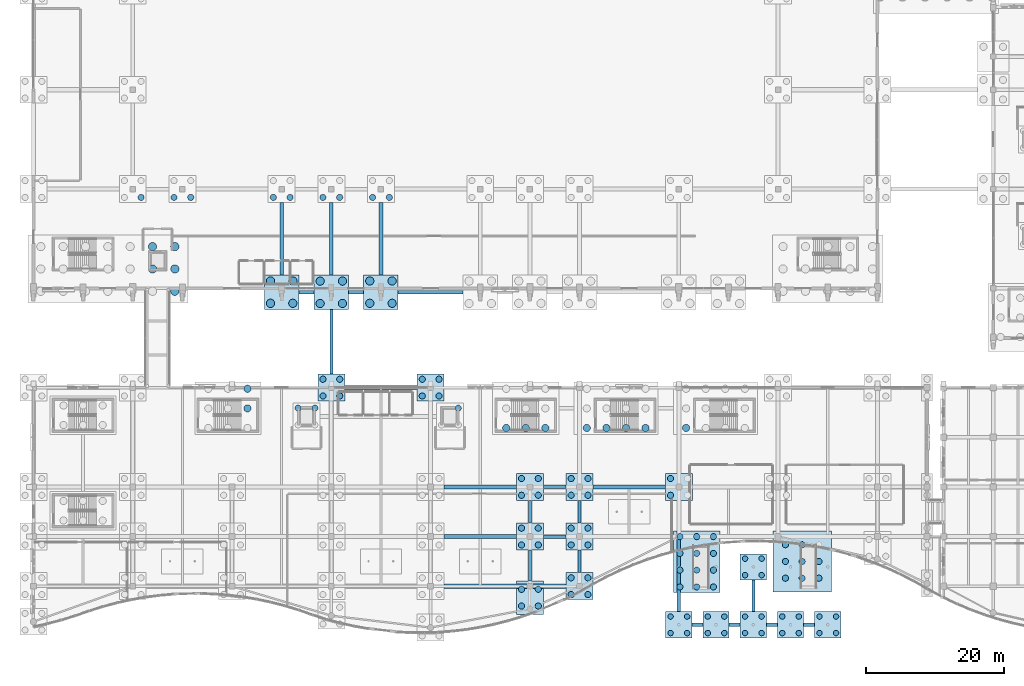
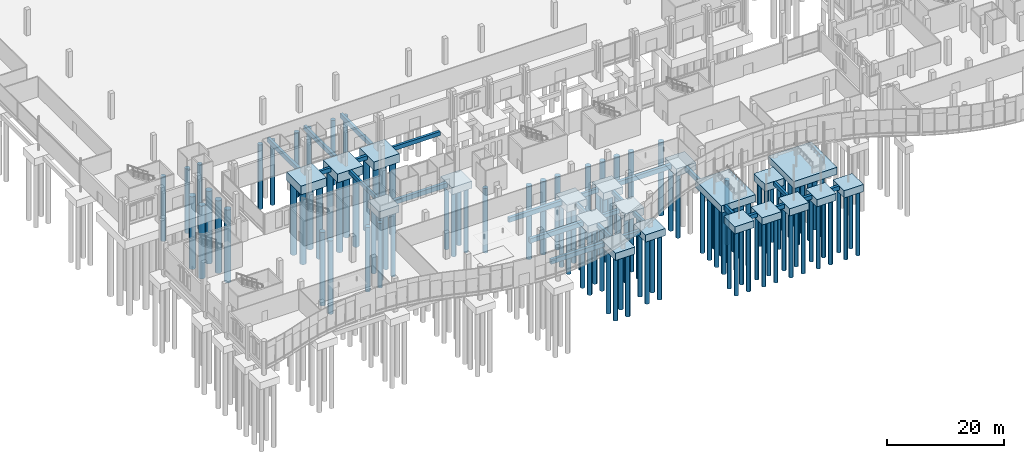
# One storey, part 2 of 192: 117 piles, 44 footings.
"""IFC4 building model written with IfcOpenShell, lengths in metres."""

from ifc_helpers import new_model, si_unit, direction, frame, origin, origin_2d, place, context, subcontext, project, spatial, rectangle, circle, extrude, material, material_profile, profile_set, type_object, element, save


model = new_model("IFC4")

# Units and contexts
model_context = context("Model", 3, precision=1e-05, world=origin(), true_north=direction((0.0, 1.0)))
body_context = subcontext(model_context, "Body", "Model", "MODEL_VIEW")
ifc_project = project(units=[si_unit("LENGTHUNIT", "METRE"), si_unit("AREAUNIT", "SQUARE_METRE"), si_unit("VOLUMEUNIT", "CUBIC_METRE"), si_unit("PLANEANGLEUNIT", "RADIAN"), si_unit("MASSUNIT", "GRAM", prefix="KILO")], contexts=[model_context])

# Site, building, storey
site_placement = place(None, origin())
site = spatial("IfcSite", under=ifc_project, at=site_placement, CompositionType="ELEMENT")
building_placement = place(site_placement, origin())
building = spatial("IfcBuilding", under=site, at=building_placement, Name="Cendralis Lancet Convention Centre", CompositionType="ELEMENT")
storey_placement = place(building_placement, origin())
storey = spatial("IfcBuildingStorey", under=building, at=storey_placement, Name="L00", CompositionType="ELEMENT", Elevation=0.0)

# Footings
ifc_material = material(Name="Concrete G35 (C35/45)", Category="concrete")
footing_type_1 = type_object("IfcFootingType", Name="STR-FT-PC04", PredefinedType="PILE_CAP", material=ifc_material)
for number, where, z_axis, x_axis, name in (
    (1, (43.199951171875, 36.0, -3.14990234375), (0.0, 0.0, 1.0), (1.0, 0.0, 0.0), "Pile Cap PC-04 #079"),
    (2, (57.60009765625, 36.0, -3.14990234375), (0.0, 0.0, 1.0), (1.0, 0.0, 0.0), "Pile Cap PC-04 #091"),
    (3, (72.0, 14.39990234375, -3.14990234375), (0.0, 0.0, 1.0), (1.0, 0.0, 0.0), "Pile Cap PC-04 #099"),
    (4, (72.0, 21.60009765625, -3.14990234375), (0.0, 0.0, 1.0), (1.0, 0.0, 0.0), "Pile Cap PC-04 #100"),
    (5, (79.199951171875, 7.199951171875, -3.14990234375), (0.0, 0.0, 1.0), (1.0, 0.0, 0.0), "Pile Cap PC-04 #105"),
    (6, (79.199951171875, 14.39990234375, -3.14990234375), (0.0, 0.0, 1.0), (1.0, 0.0, 0.0), "Pile Cap PC-04 #106"),
    (7, (79.199951171875, 21.60009765625, -3.14990234375), (0.0, 0.0, 1.0), (1.0, 0.0, 0.0), "Pile Cap PC-04 #107"),
    (8, (93.60009765625, 21.60009765625, -3.14990234375), (0.0, 0.0, 1.0), (1.0, 0.0, 0.0), "Pile Cap PC-04 #114"),
):
    element("IfcFooting", number, at=place(storey_placement, frame(where, z_axis=z_axis, x_axis=x_axis)), inside=storey, type_object=footing_type_1, Name=name, PredefinedType="PILE_CAP", context=body_context, shape_type="SweptSolid", body=[
        extrude(rectangle(XDim=3.89990234375, YDim=3.89990234375, at=origin_2d()), origin(), (0.0, 0.0, 1.0), 1.5),
    ])
footing_type_2 = type_object("IfcFootingType", Name="STR-FT-PC16", PredefinedType="PILE_CAP", material=ifc_material)
for number, where, z_axis, x_axis, name in (
    (9, (36.0, 49.844970703125, -3.4501953125), (0.0, 0.0, 1.0), (1.0, 0.0, 0.0), "Pile Cap PC-16 #070"),
    (10, (43.199951171875, 49.820068359375, -3.4501953125), (0.0, 0.0, 1.0), (1.0, 0.0, 0.0), "Pile Cap PC-16 #080"),
    (11, (50.39990234375, 49.844970703125, -3.4501953125), (0.0, 0.0, 1.0), (1.0, 0.0, 0.0), "Pile Cap PC-16 #084"),
):
    element("IfcFooting", number, at=place(storey_placement, frame(where, z_axis=z_axis, x_axis=x_axis)), inside=storey, type_object=footing_type_2, Name=name, PredefinedType="PILE_CAP", context=body_context, shape_type="SweptSolid", body=[
        extrude(rectangle(XDim=5.0, YDim=5.0, at=origin_2d()), origin(), (0.0, 0.0, 1.0), 1.800048828125),
    ])
footing_type_3 = type_object("IfcFootingType", Name="STR-FT-PC18", PredefinedType="PILE_CAP", material=ifc_material)
footing_1_placement = place(storey_placement, frame((72.0, 5.53662109375, -3.14990234375), z_axis=(0.0, 0.0, 1.0), x_axis=(1.0, 0.0, 0.0)))
element("IfcFooting", 12, at=footing_1_placement, inside=storey, type_object=footing_type_3, Name="Pile Cap PC-18 #098", PredefinedType="PILE_CAP", context=body_context, shape_type="SweptSolid", body=[
    extrude(rectangle(XDim=3.89990234375, YDim=4.89990234375, at=origin_2d()), origin(), (0.0, 0.0, 1.0), 1.5),
])
footing_type_4 = type_object("IfcFootingType", Name="STR-FT-PC20", PredefinedType="PILE_CAP", material=ifc_material)
for number, where, z_axis, x_axis, name in (
    (13, (93.60009765625, 1.60009765625, -3.14990234375), (0.0, 0.0, 1.0), (1.0, 0.0, 0.0), "Pile Cap PC-20 #113"),
    (14, (99.0, 1.60009765625, -3.14990234375), (0.0, 0.0, 1.0), (1.0, 0.0, 0.0), "Pile Cap PC-20 #121"),
    (15, (104.39990234375, 1.60009765625, -3.14990234375), (0.0, 0.0, 1.0), (1.0, 0.0, 0.0), "Pile Cap PC-20 #123"),
    (16, (104.39990234375, 10.0, -3.14990234375), (0.0, 0.0, 1.0), (1.0, 0.0, 0.0), "Pile Cap PC-20 #124"),
    (17, (109.800048828125, 1.60009765625, -3.14990234375), (0.0, 0.0, 1.0), (1.0, 0.0, 0.0), "Pile Cap PC-20 #132"),
    (18, (115.199951171875, 1.60009765625, -3.14990234375), (0.0, 0.0, 1.0), (1.0, 0.0, 0.0), "Pile Cap PC-20 #134"),
):
    element("IfcFooting", number, at=place(storey_placement, frame(where, z_axis=z_axis, x_axis=x_axis)), inside=storey, type_object=footing_type_4, Name=name, PredefinedType="PILE_CAP", context=body_context, shape_type="SweptSolid", body=[
        extrude(rectangle(XDim=3.800048828125, YDim=3.800048828125, at=origin_2d()), origin(), (0.0, 0.0, 1.0), 1.5),
    ])
footing_type_5 = type_object("IfcFootingType", Name="STR-FT-PC21", PredefinedType="PILE_CAP", material=ifc_material)
footing_2_placement = place(storey_placement, frame((96.189208984375, 10.737548828125, -3.14990234375), z_axis=(0.0, 0.0, 1.0), x_axis=(1.0, 0.0, 0.0)))
element("IfcFooting", 19, at=footing_2_placement, inside=storey, type_object=footing_type_5, Name="Pile Cap PC-21 #119", PredefinedType="PILE_CAP", context=body_context, shape_type="SweptSolid", body=[
    extrude(rectangle(XDim=6.699951171875, YDim=8.89990234375, at=origin_2d()), origin(), (0.0, 0.0, 1.0), 1.5),
])
footing_type_6 = type_object("IfcFootingType", Name="STR-FT-PC22", PredefinedType="PILE_CAP", material=ifc_material)
footing_3_placement = place(storey_placement, frame((111.489013671875, 10.78759765625, -3.14990234375), z_axis=(0.0, 0.0, 1.0), x_axis=(1.0, 0.0, 0.0)))
element("IfcFooting", 20, at=footing_3_placement, inside=storey, type_object=footing_type_6, Name="Pile Cap PC-22 #133", PredefinedType="PILE_CAP", context=body_context, shape_type="SweptSolid", body=[
    extrude(rectangle(XDim=8.5, YDim=8.800048828125, at=origin_2d()), origin(), (0.0, 0.0, 1.0), 1.5),
])
ifc_material_profile_1 = material_profile(ifc_material, rectangle(XDim=0.60009765625, YDim=0.949951171875, at=origin_2d()), Name="RCB 600x950")
ifc_profile_set_1 = profile_set([ifc_material_profile_1], Name="Concrete G35 (C35/45)")
footing_type_7 = type_object("IfcFootingType", Name="STR-GB-GB01", PredefinedType="FOOTING_BEAM", material=ifc_profile_set_1)
footing_4_placement = place(storey_placement, frame((59.550048828125, 7.199951171875, -2.125), z_axis=(1.0, 0.0, 0.0), x_axis=(0.0, 1.0, 0.0)))
element("IfcFooting", 21, at=footing_4_placement, inside=storey, type_object=footing_type_7, Name="Ground Tie Beam GB01 X-035", PredefinedType="FOOTING_BEAM", context=body_context, shape_type="SweptSolid", body=[
    extrude(rectangle(XDim=0.60009765625, YDim=0.949951171875, at=origin_2d()), origin(), (0.0, 0.0, 1.0), 17.699951171875),
])
for number, where, z_axis, x_axis, name in (
    (22, (59.550048828125, 14.39990234375, -2.125), (1.0, 0.0, 0.0), (0.0, 1.0, 0.0), "Ground Tie Beam GB01 X-040"),
    (23, (59.550048828125, 21.60009765625, -2.125), (1.0, 0.0, 0.0), (0.0, 1.0, 0.0), "Ground Tie Beam GB01 X-046"),
    (24, (81.14990234375, 21.60009765625, -2.125), (1.0, 0.0, 0.0), (0.0, 1.0, 0.0), "Ground Tie Beam GB01 X-048"),
    (25, (45.14990234375, 36.0, -2.125), (1.0, 0.0, 0.0), (0.0, 1.0, 0.0), "Ground Tie Beam GB01 X-056"),
):
    element("IfcFooting", number, at=place(storey_placement, frame(where, z_axis=z_axis, x_axis=x_axis)), inside=storey, type_object=footing_type_7, Name=name, PredefinedType="FOOTING_BEAM", context=body_context, shape_type="SweptSolid", body=[
        extrude(rectangle(XDim=0.60009765625, YDim=0.949951171875, at=origin_2d()), origin(), (0.0, 0.0, 1.0), 10.5),
    ])
ifc_material_profile_2 = material_profile(ifc_material, rectangle(XDim=0.550048828125, YDim=0.89990234375, at=origin_2d()), Name="RCB 550x900")
ifc_profile_set_2 = profile_set([ifc_material_profile_2], Name="Concrete G35 (C35/45)")
footing_type_8 = type_object("IfcFootingType", Name="STR-GB-GB02", PredefinedType="FOOTING_BEAM", material=ifc_profile_set_2)
footing_5_placement = place(storey_placement, frame((36.0, 52.344970703125, -2.10009765625), z_axis=(0.0, 1.0, 0.0), x_axis=(-1.0, 0.0, 0.0)))
element("IfcFooting", 26, at=footing_5_placement, inside=storey, type_object=footing_type_8, Name="Ground Tie Beam GB02 Y-172", PredefinedType="FOOTING_BEAM", context=body_context, shape_type="SweptSolid", body=[
    extrude(rectangle(XDim=0.550048828125, YDim=0.89990234375, at=origin_2d()), origin(), (0.0, 0.0, 1.0), 10.505126953125),
])
footing_6_placement = place(storey_placement, frame((43.199951171875, 52.320068359375, -2.10009765625), z_axis=(0.0, 1.0, 0.0), x_axis=(-1.0, 0.0, 0.0)))
element("IfcFooting", 27, at=footing_6_placement, inside=storey, type_object=footing_type_8, Name="Ground Tie Beam GB02 Y-178", PredefinedType="FOOTING_BEAM", context=body_context, shape_type="SweptSolid", body=[
    extrude(rectangle(XDim=0.550048828125, YDim=0.89990234375, at=origin_2d()), origin(), (0.0, 0.0, 1.0), 10.530029296875),
])
footing_7_placement = place(storey_placement, frame((50.39990234375, 52.344970703125, -2.10009765625), z_axis=(0.0, 1.0, 0.0), x_axis=(-1.0, 0.0, 0.0)))
element("IfcFooting", 28, at=footing_7_placement, inside=storey, type_object=footing_type_8, Name="Ground Tie Beam GB02 Y-179", PredefinedType="FOOTING_BEAM", context=body_context, shape_type="SweptSolid", body=[
    extrude(rectangle(XDim=0.550048828125, YDim=0.89990234375, at=origin_2d()), origin(), (0.0, 0.0, 1.0), 10.505126953125),
])
footing_8_placement = place(storey_placement, frame((93.60009765625, 3.5, -2.10009765625), z_axis=(0.0, 1.0, 0.0), x_axis=(-1.0, 0.0, 0.0)))
element("IfcFooting", 29, at=footing_8_placement, inside=storey, type_object=footing_type_8, Name="Ground Tie Beam GB02 Y-194", PredefinedType="FOOTING_BEAM", context=body_context, shape_type="SweptSolid", body=[
    extrude(rectangle(XDim=0.550048828125, YDim=0.89990234375, at=origin_2d()), origin(), (0.0, 0.0, 1.0), 16.14990234375),
])
ifc_material_profile_3 = material_profile(ifc_material, rectangle(XDim=0.5, YDim=0.85009765625, at=origin_2d()), Name="RCB 500x850")
ifc_profile_set_3 = profile_set([ifc_material_profile_3], Name="Concrete G35 (C35/45)")
footing_type_9 = type_object("IfcFootingType", Name="STR-GB-GB03", PredefinedType="FOOTING_BEAM", material=ifc_profile_set_3)
for number, where, z_axis, x_axis, name in (
    (30, (95.5, 1.60009765625, -2.074951171875), (1.0, 0.0, 0.0), (0.0, 1.0, 0.0), "Ground Tie Beam GB03 X-027"),
    (31, (100.89990234375, 1.60009765625, -2.074951171875), (1.0, 0.0, 0.0), (0.0, 1.0, 0.0), "Ground Tie Beam GB03 X-028"),
):
    element("IfcFooting", number, at=place(storey_placement, frame(where, z_axis=z_axis, x_axis=x_axis)), inside=storey, type_object=footing_type_9, Name=name, PredefinedType="FOOTING_BEAM", context=body_context, shape_type="SweptSolid", body=[
        extrude(rectangle(XDim=0.5, YDim=0.85009765625, at=origin_2d()), origin(), (0.0, 0.0, 1.0), 1.60009765625),
    ])
footing_9_placement = place(storey_placement, frame((106.300048828125, 1.60009765625, -2.074951171875), z_axis=(1.0, 0.0, 0.0), x_axis=(0.0, 1.0, 0.0)))
element("IfcFooting", 32, at=footing_9_placement, inside=storey, type_object=footing_type_9, Name="Ground Tie Beam GB03 X-029", PredefinedType="FOOTING_BEAM", context=body_context, shape_type="SweptSolid", body=[
    extrude(rectangle(XDim=0.5, YDim=0.85009765625, at=origin_2d()), origin(), (0.0, 0.0, 1.0), 1.599853515625),
])
footing_10_placement = place(storey_placement, frame((111.699951171875, 1.60009765625, -2.074951171875), z_axis=(1.0, 0.0, 0.0), x_axis=(0.0, 1.0, 0.0)))
element("IfcFooting", 33, at=footing_10_placement, inside=storey, type_object=footing_type_9, Name="Ground Tie Beam GB03 X-030", PredefinedType="FOOTING_BEAM", context=body_context, shape_type="SweptSolid", body=[
    extrude(rectangle(XDim=0.5, YDim=0.85009765625, at=origin_2d()), origin(), (0.0, 0.0, 1.0), 1.60009765625),
])
for number, where, z_axis, x_axis, name in (
    (34, (73.949951171875, 14.39990234375, -2.074951171875), (1.0, 0.0, 0.0), (0.0, 1.0, 0.0), "Ground Tie Beam GB03 X-041"),
    (35, (73.949951171875, 21.60009765625, -2.074951171875), (1.0, 0.0, 0.0), (0.0, 1.0, 0.0), "Ground Tie Beam GB03 X-047"),
):
    element("IfcFooting", number, at=place(storey_placement, frame(where, z_axis=z_axis, x_axis=x_axis)), inside=storey, type_object=footing_type_9, Name=name, PredefinedType="FOOTING_BEAM", context=body_context, shape_type="SweptSolid", body=[
        extrude(rectangle(XDim=0.5, YDim=0.85009765625, at=origin_2d()), origin(), (0.0, 0.0, 1.0), 3.300048828125),
    ])
for number, where, z_axis, x_axis, name in (
    (36, (38.5, 49.83251953125, -2.074951171875), (1.0, 0.0, 0.0), (0.0, 1.0, 0.0), "Ground Tie Beam GB03 X-064"),
    (37, (45.699951171875, 49.83251953125, -2.074951171875), (1.0, 0.0, 0.0), (0.0, 1.0, 0.0), "Ground Tie Beam GB03 X-065"),
):
    element("IfcFooting", number, at=place(storey_placement, frame(where, z_axis=z_axis, x_axis=x_axis)), inside=storey, type_object=footing_type_9, Name=name, PredefinedType="FOOTING_BEAM", context=body_context, shape_type="SweptSolid", body=[
        extrude(rectangle(XDim=0.5, YDim=0.85009765625, at=origin_2d()), origin(), (0.0, 0.0, 1.0), 2.199951171875),
    ])
footing_11_placement = place(storey_placement, frame((52.89990234375, 49.83251953125, -2.074951171875), z_axis=(1.0, 0.0, 0.0), x_axis=(0.0, 1.0, 0.0)))
element("IfcFooting", 38, at=footing_11_placement, inside=storey, type_object=footing_type_9, Name="Ground Tie Beam GB03 X-066", PredefinedType="FOOTING_BEAM", context=body_context, shape_type="SweptSolid", body=[
    extrude(rectangle(XDim=0.5, YDim=0.85009765625, at=origin_2d()), origin(), (0.0, 0.0, 1.0), 9.400146484375),
])
ifc_material_profile_4 = material_profile(ifc_material, rectangle(XDim=0.449951171875, YDim=0.75, at=origin_2d()), Name="RCB 450x750")
ifc_profile_set_4 = profile_set([ifc_material_profile_4], Name="Concrete G35 (C35/45)")
footing_type_10 = type_object("IfcFootingType", Name="STR-GB-GB04", PredefinedType="FOOTING_BEAM", material=ifc_profile_set_4)
footing_12_placement = place(storey_placement, frame((43.199951171875, 37.949951171875, -2.02490234375), z_axis=(0.0, 1.0, 0.0), x_axis=(-1.0, 0.0, 0.0)))
element("IfcFooting", 39, at=footing_12_placement, inside=storey, type_object=footing_type_10, Name="Ground Tie Beam GB04 Y-177", PredefinedType="FOOTING_BEAM", context=body_context, shape_type="SweptSolid", body=[
    extrude(rectangle(XDim=0.449951171875, YDim=0.75, at=origin_2d()), origin(), (0.0, 0.0, 1.0), 9.3701171875),
])
footing_13_placement = place(storey_placement, frame((72.0, 7.986572265625, -2.02490234375), z_axis=(0.0, 1.0, 0.0), x_axis=(-1.0, 0.0, 0.0)))
element("IfcFooting", 40, at=footing_13_placement, inside=storey, type_object=footing_type_10, Name="Ground Tie Beam GB04 Y-186", PredefinedType="FOOTING_BEAM", context=body_context, shape_type="SweptSolid", body=[
    extrude(rectangle(XDim=0.449951171875, YDim=0.75, at=origin_2d()), origin(), (0.0, 0.0, 1.0), 4.46337890625),
])
footing_14_placement = place(storey_placement, frame((72.0, 16.35009765625, -2.02490234375), z_axis=(0.0, 1.0, 0.0), x_axis=(-1.0, 0.0, 0.0)))
element("IfcFooting", 41, at=footing_14_placement, inside=storey, type_object=footing_type_10, Name="Ground Tie Beam GB04 Y-187", PredefinedType="FOOTING_BEAM", context=body_context, shape_type="SweptSolid", body=[
    extrude(rectangle(XDim=0.449951171875, YDim=0.75, at=origin_2d()), origin(), (0.0, 0.0, 1.0), 3.2998046875),
])
footing_15_placement = place(storey_placement, frame((79.199951171875, 9.14990234375, -2.02490234375), z_axis=(0.0, 1.0, 0.0), x_axis=(-1.0, 0.0, 0.0)))
element("IfcFooting", 42, at=footing_15_placement, inside=storey, type_object=footing_type_10, Name="Ground Tie Beam GB04 Y-190", PredefinedType="FOOTING_BEAM", context=body_context, shape_type="SweptSolid", body=[
    extrude(rectangle(XDim=0.449951171875, YDim=0.75, at=origin_2d()), origin(), (0.0, 0.0, 1.0), 3.300048828125),
])
footing_16_placement = place(storey_placement, frame((79.199951171875, 16.35009765625, -2.02490234375), z_axis=(0.0, 1.0, 0.0), x_axis=(-1.0, 0.0, 0.0)))
element("IfcFooting", 43, at=footing_16_placement, inside=storey, type_object=footing_type_10, Name="Ground Tie Beam GB04 Y-191", PredefinedType="FOOTING_BEAM", context=body_context, shape_type="SweptSolid", body=[
    extrude(rectangle(XDim=0.449951171875, YDim=0.75, at=origin_2d()), origin(), (0.0, 0.0, 1.0), 3.2998046875),
])
footing_17_placement = place(storey_placement, frame((104.39990234375, 3.5, -2.02490234375), z_axis=(0.0, 1.0, 0.0), x_axis=(-1.0, 0.0, 0.0)))
element("IfcFooting", 44, at=footing_17_placement, inside=storey, type_object=footing_type_10, Name="Ground Tie Beam GB04 Y-197", PredefinedType="FOOTING_BEAM", context=body_context, shape_type="SweptSolid", body=[
    extrude(rectangle(XDim=0.449951171875, YDim=0.75, at=origin_2d()), origin(), (0.0, 0.0, 1.0), 4.60009765625),
])

# Piles
ifc_material_profile_5 = material_profile(ifc_material, circle(Radius=0.52490234375, at=origin_2d()), Name="BORED PILE D1050")
ifc_profile_set_5 = profile_set([ifc_material_profile_5], Name="Concrete G35 (C35/45)")
pile_type_1 = type_object("IfcPileType", Name="STR-PL-P1050", PredefinedType="BORED", material=ifc_profile_set_5)
for number, where, z_axis, x_axis, name in (
    (45, (31.0400390625, 32.987548828125, -3.14990234375), (0.0, 0.0, -1.0), (1.0, 0.0, 0.0), "Bored Pile P-1050 FT2-PC-15-066-P8"),
    (46, (31.0400390625, 35.827392578125, -3.14990234375), (0.0, 0.0, -1.0), (1.0, 0.0, 0.0), "Bored Pile P-1050 FT2-PC-15-066-P9"),
    (47, (68.56005859375, 30.1474609375, -3.14990234375), (0.0, 0.0, -1.0), (1.0, 0.0, 0.0), "Bored Pile P-1050 FT2-PC-15-097-P1"),
    (48, (71.39990234375, 30.1474609375, -3.14990234375), (0.0, 0.0, -1.0), (1.0, 0.0, 0.0), "Bored Pile P-1050 FT2-PC-15-097-P4"),
    (49, (74.239990234375, 30.1474609375, -3.14990234375), (0.0, 0.0, -1.0), (1.0, 0.0, 0.0), "Bored Pile P-1050 FT2-PC-15-097-P7"),
    (50, (80.25244140625, 30.1474609375, -3.14990234375), (0.0, 0.0, -1.0), (1.0, 0.0, 0.0), "Bored Pile P-1050 FT2-PC-19-112-P1"),
    (51, (83.092529296875, 30.1474609375, -3.14990234375), (0.0, 0.0, -1.0), (1.0, 0.0, 0.0), "Bored Pile P-1050 FT2-PC-19-112-P4"),
    (52, (85.9326171875, 30.1474609375, -3.14990234375), (0.0, 0.0, -1.0), (1.0, 0.0, 0.0), "Bored Pile P-1050 FT2-PC-19-112-P7"),
    (53, (88.7724609375, 30.1474609375, -3.14990234375), (0.0, 0.0, -1.0), (1.0, 0.0, 0.0), "Bored Pile P-1050 FT2-PC-19-112-P10"),
    (54, (94.652587890625, 30.1474609375, -3.14990234375), (0.0, 0.0, -1.0), (1.0, 0.0, 0.0), "Bored Pile P-1050 FT2-PC-19-120-P1"),
):
    element("IfcPile", number, at=place(storey_placement, frame(where, z_axis=z_axis, x_axis=x_axis)), inside=storey, type_object=pile_type_1, Name=name, PredefinedType="BORED", context=body_context, shape_type="SweptSolid", body=[
        extrude(circle(Radius=0.52490234375, at=origin_2d()), origin(), (0.0, 0.0, 1.0), 15.35009765625),
    ])
ifc_material_profile_6 = material_profile(ifc_material, circle(Radius=0.60009765625, at=origin_2d()), Name="BORED PILE D1200")
ifc_profile_set_6 = profile_set([ifc_material_profile_6], Name="Concrete G35 (C35/45)")
pile_type_2 = type_object("IfcPileType", Name="STR-PL-P1200", PredefinedType="BORED", material=ifc_profile_set_6)
for number, where, z_axis, x_axis, name in (
    (55, (17.267578125, 53.2099609375, -3.300048828125), (0.0, 0.0, -1.0), (1.0, 0.0, 0.0), "Bored Pile P-1200 FT2-PC-13-053-P17"),
    (56, (17.267578125, 56.449951171875, -3.300048828125), (0.0, 0.0, -1.0), (1.0, 0.0, 0.0), "Bored Pile P-1200 FT2-PC-13-053-P18"),
    (57, (20.507568359375, 49.969970703125, -3.300048828125), (0.0, 0.0, -1.0), (1.0, 0.0, 0.0), "Bored Pile P-1200 FT2-PC-13-053-P19"),
    (58, (20.507568359375, 53.2099609375, -3.300048828125), (0.0, 0.0, -1.0), (1.0, 0.0, 0.0), "Bored Pile P-1200 FT2-PC-13-053-P20"),
    (59, (20.507568359375, 56.449951171875, -3.300048828125), (0.0, 0.0, -1.0), (1.0, 0.0, 0.0), "Bored Pile P-1200 FT2-PC-13-053-P21"),
    (60, (34.3798828125, 48.22509765625, -3.300048828125), (0.0, 0.0, -1.0), (1.0, 0.0, 0.0), "Bored Pile P-1200 FT2-PC-16-070-P1"),
    (61, (34.3798828125, 51.465087890625, -3.300048828125), (0.0, 0.0, -1.0), (1.0, 0.0, 0.0), "Bored Pile P-1200 FT2-PC-16-070-P2"),
    (62, (37.6201171875, 48.22509765625, -3.300048828125), (0.0, 0.0, -1.0), (1.0, 0.0, 0.0), "Bored Pile P-1200 FT2-PC-16-070-P3"),
    (63, (37.6201171875, 51.465087890625, -3.300048828125), (0.0, 0.0, -1.0), (1.0, 0.0, 0.0), "Bored Pile P-1200 FT2-PC-16-070-P4"),
    (64, (41.580078125, 48.199951171875, -3.300048828125), (0.0, 0.0, -1.0), (1.0, 0.0, 0.0), "Bored Pile P-1200 FT2-PC-16-080-P1"),
    (65, (41.580078125, 51.43994140625, -3.300048828125), (0.0, 0.0, -1.0), (1.0, 0.0, 0.0), "Bored Pile P-1200 FT2-PC-16-080-P2"),
    (66, (44.820068359375, 48.199951171875, -3.300048828125), (0.0, 0.0, -1.0), (1.0, 0.0, 0.0), "Bored Pile P-1200 FT2-PC-16-080-P3"),
    (67, (44.820068359375, 51.43994140625, -3.300048828125), (0.0, 0.0, -1.0), (1.0, 0.0, 0.0), "Bored Pile P-1200 FT2-PC-16-080-P4"),
    (68, (48.780029296875, 48.22509765625, -3.300048828125), (0.0, 0.0, -1.0), (1.0, 0.0, 0.0), "Bored Pile P-1200 FT2-PC-16-084-P1"),
    (69, (48.780029296875, 51.465087890625, -3.300048828125), (0.0, 0.0, -1.0), (1.0, 0.0, 0.0), "Bored Pile P-1200 FT2-PC-16-084-P2"),
    (70, (52.02001953125, 48.22509765625, -3.300048828125), (0.0, 0.0, -1.0), (1.0, 0.0, 0.0), "Bored Pile P-1200 FT2-PC-16-084-P3"),
    (71, (52.02001953125, 51.465087890625, -3.300048828125), (0.0, 0.0, -1.0), (1.0, 0.0, 0.0), "Bored Pile P-1200 FT2-PC-16-084-P4"),
):
    element("IfcPile", number, at=place(storey_placement, frame(where, z_axis=z_axis, x_axis=x_axis)), inside=storey, type_object=pile_type_2, Name=name, PredefinedType="BORED", context=body_context, shape_type="SweptSolid", body=[
        extrude(circle(Radius=0.60009765625, at=origin_2d()), origin(), (0.0, 0.0, 1.0), 15.199951171875),
    ])
ifc_material_profile_7 = material_profile(ifc_material, circle(Radius=0.39990234375, at=origin_2d()), Name="BORED PILE D800")
ifc_profile_set_7 = profile_set([ifc_material_profile_7], Name="Concrete G35 (C35/45)")
pile_type_3 = type_object("IfcPileType", Name="STR-PL-P800", PredefinedType="BORED", material=ifc_profile_set_7)
for number, where, z_axis, x_axis, name in (
    (72, (92.39990234375, 0.39990234375, -3.0), (0.0, 0.0, -1.0), (1.0, 0.0, 0.0), "Bored Pile P-800 FT2-PC-20-113-P1"),
    (73, (92.39990234375, 2.800048828125, -3.0), (0.0, 0.0, -1.0), (1.0, 0.0, 0.0), "Bored Pile P-800 FT2-PC-20-113-P2"),
    (74, (94.800048828125, 0.39990234375, -3.0), (0.0, 0.0, -1.0), (1.0, 0.0, 0.0), "Bored Pile P-800 FT2-PC-20-113-P3"),
    (75, (94.800048828125, 2.800048828125, -3.0), (0.0, 0.0, -1.0), (1.0, 0.0, 0.0), "Bored Pile P-800 FT2-PC-20-113-P4"),
    (76, (97.800048828125, 0.39990234375, -3.0), (0.0, 0.0, -1.0), (1.0, 0.0, 0.0), "Bored Pile P-800 FT2-PC-20-121-P1"),
    (77, (97.800048828125, 2.800048828125, -3.0), (0.0, 0.0, -1.0), (1.0, 0.0, 0.0), "Bored Pile P-800 FT2-PC-20-121-P2"),
    (78, (100.199951171875, 0.39990234375, -3.0), (0.0, 0.0, -1.0), (1.0, 0.0, 0.0), "Bored Pile P-800 FT2-PC-20-121-P3"),
    (79, (100.199951171875, 2.800048828125, -3.0), (0.0, 0.0, -1.0), (1.0, 0.0, 0.0), "Bored Pile P-800 FT2-PC-20-121-P4"),
    (80, (103.199951171875, 0.39990234375, -3.0), (0.0, 0.0, -1.0), (1.0, 0.0, 0.0), "Bored Pile P-800 FT2-PC-20-123-P1"),
    (81, (103.199951171875, 2.800048828125, -3.0), (0.0, 0.0, -1.0), (1.0, 0.0, 0.0), "Bored Pile P-800 FT2-PC-20-123-P2"),
    (82, (105.60009765625, 0.39990234375, -3.0), (0.0, 0.0, -1.0), (1.0, 0.0, 0.0), "Bored Pile P-800 FT2-PC-20-123-P3"),
    (83, (105.60009765625, 2.800048828125, -3.0), (0.0, 0.0, -1.0), (1.0, 0.0, 0.0), "Bored Pile P-800 FT2-PC-20-123-P4"),
    (84, (103.199951171875, 8.800048828125, -3.0), (0.0, 0.0, -1.0), (1.0, 0.0, 0.0), "Bored Pile P-800 FT2-PC-20-124-P1"),
    (85, (103.199951171875, 11.199951171875, -3.0), (0.0, 0.0, -1.0), (1.0, 0.0, 0.0), "Bored Pile P-800 FT2-PC-20-124-P2"),
    (86, (105.60009765625, 8.800048828125, -3.0), (0.0, 0.0, -1.0), (1.0, 0.0, 0.0), "Bored Pile P-800 FT2-PC-20-124-P3"),
    (87, (105.60009765625, 11.199951171875, -3.0), (0.0, 0.0, -1.0), (1.0, 0.0, 0.0), "Bored Pile P-800 FT2-PC-20-124-P4"),
    (88, (108.60009765625, 0.39990234375, -3.0), (0.0, 0.0, -1.0), (1.0, 0.0, 0.0), "Bored Pile P-800 FT2-PC-20-132-P1"),
    (89, (108.60009765625, 2.800048828125, -3.0), (0.0, 0.0, -1.0), (1.0, 0.0, 0.0), "Bored Pile P-800 FT2-PC-20-132-P2"),
    (90, (111.0, 0.39990234375, -3.0), (0.0, 0.0, -1.0), (1.0, 0.0, 0.0), "Bored Pile P-800 FT2-PC-20-132-P3"),
    (91, (111.0, 2.800048828125, -3.0), (0.0, 0.0, -1.0), (1.0, 0.0, 0.0), "Bored Pile P-800 FT2-PC-20-132-P4"),
    (92, (114.0, 0.39990234375, -3.0), (0.0, 0.0, -1.0), (1.0, 0.0, 0.0), "Bored Pile P-800 FT2-PC-20-134-P1"),
    (93, (114.0, 2.800048828125, -3.0), (0.0, 0.0, -1.0), (1.0, 0.0, 0.0), "Bored Pile P-800 FT2-PC-20-134-P2"),
    (94, (116.39990234375, 0.39990234375, -3.0), (0.0, 0.0, -1.0), (1.0, 0.0, 0.0), "Bored Pile P-800 FT2-PC-20-134-P3"),
    (95, (116.39990234375, 2.800048828125, -3.0), (0.0, 0.0, -1.0), (1.0, 0.0, 0.0), "Bored Pile P-800 FT2-PC-20-134-P4"),
):
    element("IfcPile", number, at=place(storey_placement, frame(where, z_axis=z_axis, x_axis=x_axis)), inside=storey, type_object=pile_type_3, Name=name, PredefinedType="BORED", context=body_context, shape_type="SweptSolid", body=[
        extrude(circle(Radius=0.39990234375, at=origin_2d()), origin(), (0.0, 0.0, 1.0), 13.5),
    ])
ifc_material_profile_8 = material_profile(ifc_material, circle(Radius=0.449951171875, at=origin_2d()), Name="BORED PILE D900")
ifc_profile_set_8 = profile_set([ifc_material_profile_8], Name="Concrete G35 (C35/45)")
pile_type_4 = type_object("IfcPileType", Name="STR-PL-P900", PredefinedType="BORED", material=ifc_profile_set_8)
for number, where, z_axis, x_axis, name in (
    (96, (15.614990234375, 63.5849609375, -3.0), (0.0, 0.0, -1.0), (1.0, 0.0, 0.0), "Bored Pile P-900 FT2-PC-04-059-P3"),
    (97, (20.385009765625, 63.5849609375, -3.0), (0.0, 0.0, -1.0), (1.0, 0.0, 0.0), "Bored Pile P-900 FT2-PC-04-064-P1"),
    (98, (22.81494140625, 63.5849609375, -3.0), (0.0, 0.0, -1.0), (1.0, 0.0, 0.0), "Bored Pile P-900 FT2-PC-04-064-P3"),
    (99, (34.784912109375, 63.5849609375, -3.0), (0.0, 0.0, -1.0), (1.0, 0.0, 0.0), "Bored Pile P-900 FT2-PC-04-071-P1"),
    (100, (37.215087890625, 63.5849609375, -3.0), (0.0, 0.0, -1.0), (1.0, 0.0, 0.0), "Bored Pile P-900 FT2-PC-04-071-P3"),
    (101, (38.385009765625, 33.014892578125, -3.0), (0.0, 0.0, -1.0), (1.0, 0.0, 0.0), "Bored Pile P-900 FT2-PC-04-074-P2"),
    (102, (40.81494140625, 33.014892578125, -3.0), (0.0, 0.0, -1.0), (1.0, 0.0, 0.0), "Bored Pile P-900 FT2-PC-04-074-P4"),
    (103, (41.985107421875, 34.784912109375, -3.0), (0.0, 0.0, -1.0), (1.0, 0.0, 0.0), "Bored Pile P-900 FT2-PC-04-079-P1"),
    (104, (41.985107421875, 37.215087890625, -3.0), (0.0, 0.0, -1.0), (1.0, 0.0, 0.0), "Bored Pile P-900 FT2-PC-04-079-P2"),
    (105, (44.4150390625, 34.784912109375, -3.0), (0.0, 0.0, -1.0), (1.0, 0.0, 0.0), "Bored Pile P-900 FT2-PC-04-079-P3"),
    (106, (44.4150390625, 37.215087890625, -3.0), (0.0, 0.0, -1.0), (1.0, 0.0, 0.0), "Bored Pile P-900 FT2-PC-04-079-P4"),
    (107, (41.985107421875, 63.5849609375, -3.0), (0.0, 0.0, -1.0), (1.0, 0.0, 0.0), "Bored Pile P-900 FT2-PC-04-081-P1"),
    (108, (44.4150390625, 63.5849609375, -3.0), (0.0, 0.0, -1.0), (1.0, 0.0, 0.0), "Bored Pile P-900 FT2-PC-04-081-P3"),
    (109, (49.18505859375, 63.5849609375, -3.0), (0.0, 0.0, -1.0), (1.0, 0.0, 0.0), "Bored Pile P-900 FT2-PC-04-085-P1"),
    (110, (51.614990234375, 63.5849609375, -3.0), (0.0, 0.0, -1.0), (1.0, 0.0, 0.0), "Bored Pile P-900 FT2-PC-04-085-P3"),
    (111, (56.385009765625, 34.784912109375, -3.0), (0.0, 0.0, -1.0), (1.0, 0.0, 0.0), "Bored Pile P-900 FT2-PC-04-091-P1"),
    (112, (56.385009765625, 37.215087890625, -3.0), (0.0, 0.0, -1.0), (1.0, 0.0, 0.0), "Bored Pile P-900 FT2-PC-04-091-P2"),
    (113, (58.81494140625, 34.784912109375, -3.0), (0.0, 0.0, -1.0), (1.0, 0.0, 0.0), "Bored Pile P-900 FT2-PC-04-091-P3"),
    (114, (58.81494140625, 37.215087890625, -3.0), (0.0, 0.0, -1.0), (1.0, 0.0, 0.0), "Bored Pile P-900 FT2-PC-04-091-P4"),
    (115, (61.614990234375, 33.014892578125, -3.0), (0.0, 0.0, -1.0), (1.0, 0.0, 0.0), "Bored Pile P-900 FT2-PC-04-092-P4"),
    (116, (70.784912109375, 4.321533203125, -3.0), (0.0, 0.0, -1.0), (1.0, 0.0, 0.0), "Bored Pile P-900 FT2-PC-18-098-P1"),
    (117, (70.784912109375, 6.75146484375, -3.0), (0.0, 0.0, -1.0), (1.0, 0.0, 0.0), "Bored Pile P-900 FT2-PC-18-098-P2"),
    (118, (73.215087890625, 4.321533203125, -3.0), (0.0, 0.0, -1.0), (1.0, 0.0, 0.0), "Bored Pile P-900 FT2-PC-18-098-P3"),
    (119, (73.215087890625, 6.75146484375, -3.0), (0.0, 0.0, -1.0), (1.0, 0.0, 0.0), "Bored Pile P-900 FT2-PC-18-098-P4"),
    (120, (70.784912109375, 13.18505859375, -3.0), (0.0, 0.0, -1.0), (1.0, 0.0, 0.0), "Bored Pile P-900 FT2-PC-04-099-P1"),
    (121, (70.784912109375, 15.614990234375, -3.0), (0.0, 0.0, -1.0), (1.0, 0.0, 0.0), "Bored Pile P-900 FT2-PC-04-099-P2"),
    (122, (73.215087890625, 13.18505859375, -3.0), (0.0, 0.0, -1.0), (1.0, 0.0, 0.0), "Bored Pile P-900 FT2-PC-04-099-P3"),
    (123, (73.215087890625, 15.614990234375, -3.0), (0.0, 0.0, -1.0), (1.0, 0.0, 0.0), "Bored Pile P-900 FT2-PC-04-099-P4"),
    (124, (70.784912109375, 20.385009765625, -3.0), (0.0, 0.0, -1.0), (1.0, 0.0, 0.0), "Bored Pile P-900 FT2-PC-04-100-P1"),
    (125, (70.784912109375, 22.81494140625, -3.0), (0.0, 0.0, -1.0), (1.0, 0.0, 0.0), "Bored Pile P-900 FT2-PC-04-100-P2"),
    (126, (73.215087890625, 20.385009765625, -3.0), (0.0, 0.0, -1.0), (1.0, 0.0, 0.0), "Bored Pile P-900 FT2-PC-04-100-P3"),
    (127, (73.215087890625, 22.81494140625, -3.0), (0.0, 0.0, -1.0), (1.0, 0.0, 0.0), "Bored Pile P-900 FT2-PC-04-100-P4"),
    (128, (77.985107421875, 5.985107421875, -3.0), (0.0, 0.0, -1.0), (1.0, 0.0, 0.0), "Bored Pile P-900 FT2-PC-04-105-P1"),
    (129, (77.985107421875, 8.4150390625, -3.0), (0.0, 0.0, -1.0), (1.0, 0.0, 0.0), "Bored Pile P-900 FT2-PC-04-105-P2"),
    (130, (80.4150390625, 5.985107421875, -3.0), (0.0, 0.0, -1.0), (1.0, 0.0, 0.0), "Bored Pile P-900 FT2-PC-04-105-P3"),
    (131, (80.4150390625, 8.4150390625, -3.0), (0.0, 0.0, -1.0), (1.0, 0.0, 0.0), "Bored Pile P-900 FT2-PC-04-105-P4"),
    (132, (77.985107421875, 13.18505859375, -3.0), (0.0, 0.0, -1.0), (1.0, 0.0, 0.0), "Bored Pile P-900 FT2-PC-04-106-P1"),
    (133, (77.985107421875, 15.614990234375, -3.0), (0.0, 0.0, -1.0), (1.0, 0.0, 0.0), "Bored Pile P-900 FT2-PC-04-106-P2"),
    (134, (80.4150390625, 13.18505859375, -3.0), (0.0, 0.0, -1.0), (1.0, 0.0, 0.0), "Bored Pile P-900 FT2-PC-04-106-P3"),
    (135, (80.4150390625, 15.614990234375, -3.0), (0.0, 0.0, -1.0), (1.0, 0.0, 0.0), "Bored Pile P-900 FT2-PC-04-106-P4"),
    (136, (77.985107421875, 20.385009765625, -3.0), (0.0, 0.0, -1.0), (1.0, 0.0, 0.0), "Bored Pile P-900 FT2-PC-04-107-P1"),
    (137, (77.985107421875, 22.81494140625, -3.0), (0.0, 0.0, -1.0), (1.0, 0.0, 0.0), "Bored Pile P-900 FT2-PC-04-107-P2"),
    (138, (80.4150390625, 20.385009765625, -3.0), (0.0, 0.0, -1.0), (1.0, 0.0, 0.0), "Bored Pile P-900 FT2-PC-04-107-P3"),
    (139, (80.4150390625, 22.81494140625, -3.0), (0.0, 0.0, -1.0), (1.0, 0.0, 0.0), "Bored Pile P-900 FT2-PC-04-107-P4"),
    (140, (92.385009765625, 20.385009765625, -3.0), (0.0, 0.0, -1.0), (1.0, 0.0, 0.0), "Bored Pile P-900 FT2-PC-04-114-P1"),
    (141, (92.385009765625, 22.81494140625, -3.0), (0.0, 0.0, -1.0), (1.0, 0.0, 0.0), "Bored Pile P-900 FT2-PC-04-114-P2"),
    (142, (93.759033203125, 7.092529296875, -3.0), (0.0, 0.0, -1.0), (1.0, 0.0, 0.0), "Bored Pile P-900 FT2-PC-21-119-P1"),
    (143, (93.759033203125, 9.5224609375, -3.0), (0.0, 0.0, -1.0), (1.0, 0.0, 0.0), "Bored Pile P-900 FT2-PC-21-119-P2"),
    (144, (93.759033203125, 11.952392578125, -3.0), (0.0, 0.0, -1.0), (1.0, 0.0, 0.0), "Bored Pile P-900 FT2-PC-21-119-P3"),
    (145, (93.759033203125, 14.382568359375, -3.0), (0.0, 0.0, -1.0), (1.0, 0.0, 0.0), "Bored Pile P-900 FT2-PC-21-119-P4"),
    (146, (96.189208984375, 7.092529296875, -3.0), (0.0, 0.0, -1.0), (1.0, 0.0, 0.0), "Bored Pile P-900 FT2-PC-21-119-P5"),
    (147, (96.189208984375, 9.5224609375, -3.0), (0.0, 0.0, -1.0), (1.0, 0.0, 0.0), "Bored Pile P-900 FT2-PC-21-119-P6"),
    (148, (96.189208984375, 11.952392578125, -3.0), (0.0, 0.0, -1.0), (1.0, 0.0, 0.0), "Bored Pile P-900 FT2-PC-21-119-P7"),
    (149, (96.189208984375, 14.382568359375, -3.0), (0.0, 0.0, -1.0), (1.0, 0.0, 0.0), "Bored Pile P-900 FT2-PC-21-119-P8"),
    (150, (98.619140625, 7.092529296875, -3.0), (0.0, 0.0, -1.0), (1.0, 0.0, 0.0), "Bored Pile P-900 FT2-PC-21-119-P9"),
    (151, (98.619140625, 9.5224609375, -3.0), (0.0, 0.0, -1.0), (1.0, 0.0, 0.0), "Bored Pile P-900 FT2-PC-21-119-P10"),
    (152, (98.619140625, 11.952392578125, -3.0), (0.0, 0.0, -1.0), (1.0, 0.0, 0.0), "Bored Pile P-900 FT2-PC-21-119-P11"),
    (153, (98.619140625, 14.382568359375, -3.0), (0.0, 0.0, -1.0), (1.0, 0.0, 0.0), "Bored Pile P-900 FT2-PC-21-119-P12"),
    (154, (109.05908203125, 8.357421875, -3.0), (0.0, 0.0, -1.0), (1.0, 0.0, 0.0), "Bored Pile P-900 FT2-PC-22-133-P1"),
    (155, (109.05908203125, 10.78759765625, -3.0), (0.0, 0.0, -1.0), (1.0, 0.0, 0.0), "Bored Pile P-900 FT2-PC-22-133-P2"),
    (156, (109.05908203125, 13.217529296875, -3.0), (0.0, 0.0, -1.0), (1.0, 0.0, 0.0), "Bored Pile P-900 FT2-PC-22-133-P3"),
    (157, (111.489013671875, 8.357421875, -3.0), (0.0, 0.0, -1.0), (1.0, 0.0, 0.0), "Bored Pile P-900 FT2-PC-22-133-P4"),
    (158, (111.489013671875, 10.78759765625, -3.0), (0.0, 0.0, -1.0), (1.0, 0.0, 0.0), "Bored Pile P-900 FT2-PC-22-133-P5"),
    (159, (111.489013671875, 13.217529296875, -3.0), (0.0, 0.0, -1.0), (1.0, 0.0, 0.0), "Bored Pile P-900 FT2-PC-22-133-P6"),
    (160, (113.919189453125, 8.357421875, -3.0), (0.0, 0.0, -1.0), (1.0, 0.0, 0.0), "Bored Pile P-900 FT2-PC-22-133-P7"),
    (161, (113.919189453125, 10.78759765625, -3.0), (0.0, 0.0, -1.0), (1.0, 0.0, 0.0), "Bored Pile P-900 FT2-PC-22-133-P8"),
):
    element("IfcPile", number, at=place(storey_placement, frame(where, z_axis=z_axis, x_axis=x_axis)), inside=storey, type_object=pile_type_4, Name=name, PredefinedType="BORED", context=body_context, shape_type="SweptSolid", body=[
        extrude(circle(Radius=0.449951171875, at=origin_2d()), origin(), (0.0, 0.0, 1.0), 13.5),
    ])

save(model, "model.ifc")
